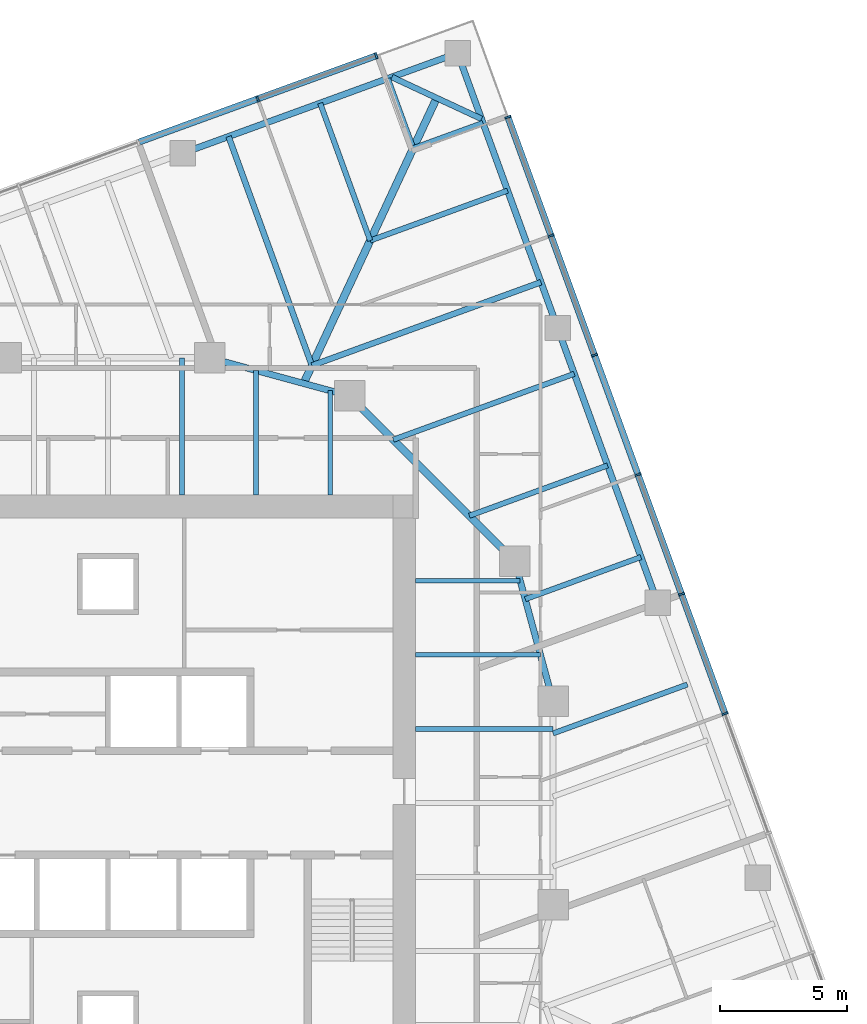
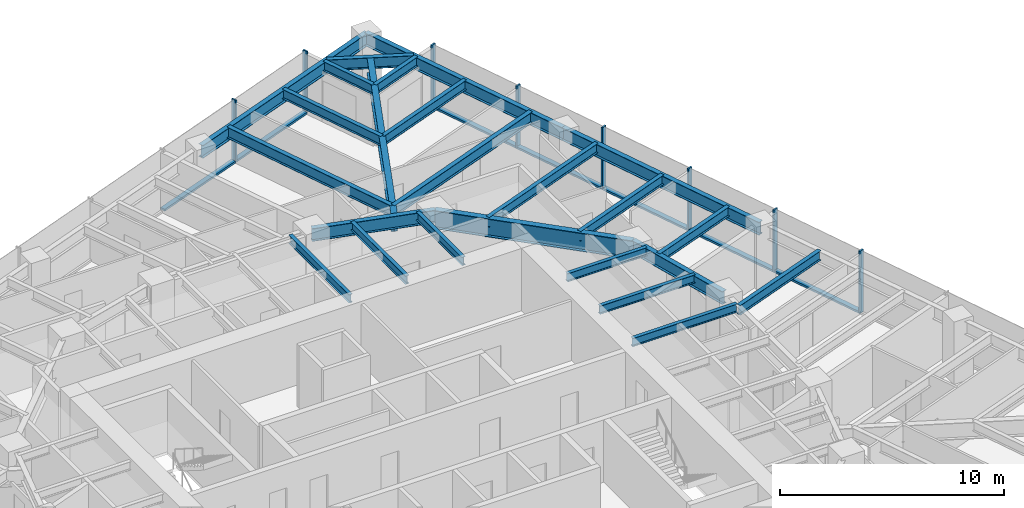
# One storey, part 5 of 13: 24 beams, 15 members, 2 elements without a shape of their own.
"""IFC4 building model written with IfcOpenShell, lengths in metres."""

from ifc_helpers import new_model, si_unit, direction, frame, origin, origin_2d, place, context, subcontext, project, spatial, rectangle, i_section, extrude, material, material_profile, profile_set, type_object, element, aggregate, save


model = new_model("IFC4")

# Units and contexts
model_context = context("Model", 3, precision=1e-05, world=origin(), true_north=direction((0.0, 1.0)))
body_context = subcontext(model_context, "Body", "Model", "MODEL_VIEW")
ifc_project = project(units=[si_unit("LENGTHUNIT", "METRE"), si_unit("AREAUNIT", "SQUARE_METRE"), si_unit("VOLUMEUNIT", "CUBIC_METRE"), si_unit("PLANEANGLEUNIT", "RADIAN"), si_unit("MASSUNIT", "GRAM", prefix="KILO")], contexts=[model_context])

# Site, building, storey
site_placement = place(None, origin())
site = spatial("IfcSite", under=ifc_project, at=site_placement, CompositionType="ELEMENT")
building_placement = place(site_placement, origin())
building = spatial("IfcBuilding", under=site, at=building_placement, Name="Torsade Residences", CompositionType="ELEMENT")
storey_placement = place(building_placement, frame((0.0, 0.0, 157.39990234375)))
storey = spatial("IfcBuildingStorey", under=building, at=storey_placement, Name="L43", CompositionType="ELEMENT", Elevation=157.39990234375)

# Beams
ifc_material_1 = material(Name="Steel grade 300", Category="steel")
ifc_material_profile_1 = material_profile(ifc_material_1, i_section(OverallWidth=0.300048828125, OverallDepth=0.89990234375, WebThickness=0.011962890625, FlangeThickness=0.02490234375, at=origin_2d()), Name="900WB175")
ifc_profile_set_1 = profile_set([ifc_material_profile_1], Name="Steel grade 300")
beam_type_1 = type_object("IfcBeamType", Name="CORNER GIRDER 900WB175", PredefinedType="BEAM", material=ifc_profile_set_1)
beam_1_placement = place(storey_placement, frame((52.924560546875, 57.717041015625, 2.800048828125), z_axis=(-0.422616712682, -0.906308509373, 0.0), x_axis=(0.906308509373, -0.422616712682, 0.0)))
element("IfcBeam", 1, at=beam_1_placement, inside=storey, type_object=beam_type_1, Name="Corner girder 09 L44", PredefinedType="BEAM", context=body_context, shape_type="SweptSolid", body=[
    extrude(i_section(OverallWidth=0.300048828125, OverallDepth=0.89990234375, WebThickness=0.011962890625, FlangeThickness=0.02490234375, at=origin_2d()), origin(), (0.0, 0.0, 1.0), 12.3837890625),
])
ifc_material_2 = material(Name="Steel grade 300", Category="steel")
ifc_material_profile_2 = material_profile(ifc_material_2, i_section(OverallWidth=0.22802734375, OverallDepth=0.60205078125, WebThickness=0.010498046875, FlangeThickness=0.014892578125, FilletRadius=0.013916015625, at=origin_2d()), Name="610UB101")
ifc_profile_set_2 = profile_set([ifc_material_profile_2], Name="Steel grade 300")
beam_type_2 = type_object("IfcBeamType", Name="CORNER TRIMMER 610UB101", PredefinedType="BEAM", material=ifc_profile_set_2)
beam_2_placement = place(storey_placement, frame((51.162353515625, 58.538818359375, 2.94921875), z_axis=(0.906309798645, -0.422613947806, 0.0), x_axis=(0.422613947806, 0.906309798645, 0.0)))
element("IfcBeam", 2, at=beam_2_placement, inside=storey, type_object=beam_type_2, Name="Corner trimmer 09 L44", PredefinedType="BEAM", context=body_context, shape_type="SweptSolid", body=[
    extrude(i_section(OverallWidth=0.22802734375, OverallDepth=0.60205078125, WebThickness=0.010498046875, FlangeThickness=0.014892578125, FilletRadius=0.013916015625, at=origin_2d()), origin(), (0.0, 0.0, 1.0), 3.888916015625),
])
ifc_material_3 = material(Name="Steel grade 300", Category="steel")
ifc_material_profile_3 = material_profile(ifc_material_3, i_section(OverallWidth=0.25, OverallDepth=0.699951171875, WebThickness=0.010009765625, FlangeThickness=0.02001953125, at=origin_2d()), Name="700WB130")
ifc_profile_set_3 = profile_set([ifc_material_profile_3], Name="Steel grade 300")
beam_type_3 = type_object("IfcBeamType", Name="EDGE BEAM 700WB130", PredefinedType="SPANDREL", material=ifc_profile_set_3)
for number, where, z_axis, x_axis, name in (
    (3, (61.613037109375, 37.866455078125, 2.900146484375), (-0.342031119628, 0.939688625666, 0.0), (-0.939688625666, -0.342031119628, 0.0), "Edge beam 07 L44"),
    (4, (57.6796875, 48.6728515625, 2.900146484375), (-0.342005550448, 0.939697932031, 0.0), (-0.939697932031, -0.342005550448, 0.0), "Edge beam 08 L44"),
):
    element("IfcBeam", number, at=place(storey_placement, frame(where, z_axis=z_axis, x_axis=x_axis)), inside=storey, type_object=beam_type_3, Name=name, PredefinedType="SPANDREL", context=body_context, shape_type="SweptSolid", body=[
        extrude(i_section(OverallWidth=0.25, OverallDepth=0.699951171875, WebThickness=0.010009765625, FlangeThickness=0.02001953125, at=origin_2d()), origin(), (0.0, 0.0, 1.0), 11.5),
    ])
beam_3_placement = place(storey_placement, frame((53.74658203125, 59.4794921875, 2.900146484375), z_axis=(-0.93969110915, -0.342024296483, 0.0), x_axis=(0.342024296483, -0.93969110915, 0.0)))
element("IfcBeam", 5, at=beam_3_placement, inside=storey, type_object=beam_type_3, Name="Edge beam 09 L44", PredefinedType="SPANDREL", context=body_context, shape_type="SweptSolid", body=[
    extrude(i_section(OverallWidth=0.25, OverallDepth=0.699951171875, WebThickness=0.010009765625, FlangeThickness=0.02001953125, at=origin_2d()), origin(), (0.0, 0.0, 1.0), 11.500244140625),
])
ifc_material_4 = material(Name="Steel grade 300", Category="steel")
ifc_material_profile_4 = material_profile(ifc_material_4, i_section(OverallWidth=0.18994140625, OverallDepth=0.4541015625, WebThickness=0.008544921875, FlangeThickness=0.0126953125, FilletRadius=0.011474609375, at=origin_2d()), Name="460UB67.1")
ifc_profile_set_4 = profile_set([ifc_material_profile_4], Name="Steel grade 300")
beam_type_4 = type_object("IfcBeamType", Name="INNER FLOOR BEAM 460UB67.1", PredefinedType="JOIST", material=ifc_profile_set_4)
beam_4_placement = place(storey_placement, frame((42.91259765625, 42.10009765625, 3.023193359375), z_axis=(0.0, 1.0, 0.0), x_axis=(-1.0, 0.0, 0.0)))
element("IfcBeam", 6, at=beam_4_placement, inside=storey, type_object=beam_type_4, Name="Inner floor beam IN05 L44", PredefinedType="JOIST", context=body_context, shape_type="SweptSolid", body=[
    extrude(i_section(OverallWidth=0.18994140625, OverallDepth=0.4541015625, WebThickness=0.008544921875, FlangeThickness=0.0126953125, FilletRadius=0.011474609375, at=origin_2d()), origin(), (0.0, 0.0, 1.0), 5.39990234375),
])
beam_5_placement = place(storey_placement, frame((45.824951171875, 42.10009765625, 3.023193359375), z_axis=(0.0, 1.0, 0.0), x_axis=(-1.0, 0.0, 0.0)))
element("IfcBeam", 7, at=beam_5_placement, inside=storey, type_object=beam_type_4, Name="Inner floor beam IN06 L44", PredefinedType="JOIST", context=body_context, shape_type="SweptSolid", body=[
    extrude(i_section(OverallWidth=0.18994140625, OverallDepth=0.4541015625, WebThickness=0.008544921875, FlangeThickness=0.0126953125, FilletRadius=0.011474609375, at=origin_2d()), origin(), (0.0, 0.0, 1.0), 4.902099609375),
])
beam_6_placement = place(storey_placement, frame((48.737548828125, 42.10009765625, 3.023193359375), z_axis=(0.0, 1.0, 0.0), x_axis=(-1.0, 0.0, 0.0)))
element("IfcBeam", 8, at=beam_6_placement, inside=storey, type_object=beam_type_4, Name="Inner floor beam IN07 L44", PredefinedType="JOIST", context=body_context, shape_type="SweptSolid", body=[
    extrude(i_section(OverallWidth=0.18994140625, OverallDepth=0.4541015625, WebThickness=0.008544921875, FlangeThickness=0.0126953125, FilletRadius=0.011474609375, at=origin_2d()), origin(), (0.0, 0.0, 1.0), 4.10791015625),
])
beam_7_placement = place(storey_placement, frame((52.10009765625, 32.91259765625, 3.023193359375), z_axis=(1.0, 0.0, 0.0), x_axis=(0.0, 1.0, 0.0)))
element("IfcBeam", 9, at=beam_7_placement, inside=storey, type_object=beam_type_4, Name="Inner floor beam IE05 L44", PredefinedType="JOIST", context=body_context, shape_type="SweptSolid", body=[
    extrude(i_section(OverallWidth=0.18994140625, OverallDepth=0.4541015625, WebThickness=0.008544921875, FlangeThickness=0.0126953125, FilletRadius=0.011474609375, at=origin_2d()), origin(), (0.0, 0.0, 1.0), 5.39990234375),
])
beam_8_placement = place(storey_placement, frame((52.10009765625, 35.824951171875, 3.023193359375), z_axis=(1.0, 0.0, 0.0), x_axis=(0.0, 1.0, 0.0)))
element("IfcBeam", 10, at=beam_8_placement, inside=storey, type_object=beam_type_4, Name="Inner floor beam IE06 L44", PredefinedType="JOIST", context=body_context, shape_type="SweptSolid", body=[
    extrude(i_section(OverallWidth=0.18994140625, OverallDepth=0.4541015625, WebThickness=0.008544921875, FlangeThickness=0.0126953125, FilletRadius=0.011474609375, at=origin_2d()), origin(), (0.0, 0.0, 1.0), 4.902099609375),
])
beam_9_placement = place(storey_placement, frame((52.10009765625, 38.737548828125, 3.023193359375), z_axis=(1.0, 0.0, 0.0), x_axis=(0.0, 1.0, 0.0)))
element("IfcBeam", 11, at=beam_9_placement, inside=storey, type_object=beam_type_4, Name="Inner floor beam IE07 L44", PredefinedType="JOIST", context=body_context, shape_type="SweptSolid", body=[
    extrude(i_section(OverallWidth=0.18994140625, OverallDepth=0.4541015625, WebThickness=0.008544921875, FlangeThickness=0.0126953125, FilletRadius=0.011474609375, at=origin_2d()), origin(), (0.0, 0.0, 1.0), 4.10791015625),
])

# Curtain wall, members
ifc_material_5 = material(Name="Aluminium and glass", Category="aluminium")
curtain_wall_type = type_object("IfcCurtainWallType", Name="FRITTED GLASS CURTAIN WALL MID ZONE", PredefinedType="NOTDEFINED", material=ifc_material_5)
curtain_wall_1_placement = place(storey_placement, origin())
curtain_wall_1 = element("IfcCurtainWall", 12, at=curtain_wall_1_placement, inside=storey, type_object=curtain_wall_type, Name="Curtain wall L43 face 4", PredefinedType="NOTDEFINED")
ifc_material_6 = material(Name="Aluminium mullion", Category="aluminium")
ifc_material_profile_5 = material_profile(ifc_material_6, rectangle(XDim=0.25, YDim=0.080078125, at=origin_2d()), Name="MID ZONE CURTAIN WALL MULLION 250x80")
ifc_profile_set_5 = profile_set([ifc_material_profile_5], Name="Aluminium mullion")
member_type_1 = type_object("IfcMemberType", Name="MID ZONE CURTAIN WALL MULLION 250x80", PredefinedType="MULLION", material=ifc_profile_set_5)
member_1_placement = place(storey_placement, frame((64.2626953125, 33.510009765625, 0.0), z_axis=(0.0, 0.0, 1.0), x_axis=(-0.939692619132, -0.342020147869, 0.0)))
member_1 = element("IfcMember", 13, at=member_1_placement, type_object=member_type_1, Name="Mullion 4", PredefinedType="MULLION", context=body_context, shape_type="SweptSolid", body=[
    extrude(rectangle(XDim=0.25, YDim=0.080078125, at=origin_2d()), origin(), (0.0, 0.0, 1.0), 3.400146484375),
])
member_2_placement = place(storey_placement, frame((62.552734375, 38.20849609375, 0.0), z_axis=(0.0, 0.0, 1.0), x_axis=(-0.939692619132, -0.342020147869, 0.0)))
member_2 = element("IfcMember", 14, at=member_2_placement, type_object=member_type_1, Name="Mullion 5", PredefinedType="MULLION", context=body_context, shape_type="SweptSolid", body=[
    extrude(rectangle(XDim=0.25, YDim=0.080078125, at=origin_2d()), origin(), (0.0, 0.0, 1.0), 3.400146484375),
])
member_3_placement = place(storey_placement, frame((60.842529296875, 42.906982421875, 0.0), z_axis=(0.0, 0.0, 1.0), x_axis=(-0.939692619132, -0.342020147869, 0.0)))
member_3 = element("IfcMember", 15, at=member_3_placement, type_object=member_type_1, Name="Mullion 6", PredefinedType="MULLION", context=body_context, shape_type="SweptSolid", body=[
    extrude(rectangle(XDim=0.25, YDim=0.080078125, at=origin_2d()), origin(), (0.0, 0.0, 1.0), 3.400146484375),
])
member_4_placement = place(storey_placement, frame((59.13232421875, 47.60546875, 0.0), z_axis=(0.0, 0.0, 1.0), x_axis=(-0.939692619132, -0.342020147869, 0.0)))
member_4 = element("IfcMember", 16, at=member_4_placement, type_object=member_type_1, Name="Mullion 7", PredefinedType="MULLION", context=body_context, shape_type="SweptSolid", body=[
    extrude(rectangle(XDim=0.25, YDim=0.080078125, at=origin_2d()), origin(), (0.0, 0.0, 1.0), 3.400146484375),
])
member_5_placement = place(storey_placement, frame((57.42236328125, 52.303955078125, 0.0), z_axis=(0.0, 0.0, 1.0), x_axis=(-0.939692619132, -0.342020147869, 0.0)))
member_5 = element("IfcMember", 17, at=member_5_placement, type_object=member_type_1, Name="Mullion 8", PredefinedType="MULLION", context=body_context, shape_type="SweptSolid", body=[
    extrude(rectangle(XDim=0.25, YDim=0.080078125, at=origin_2d()), origin(), (0.0, 0.0, 1.0), 3.400146484375),
])
member_6_placement = place(storey_placement, frame((55.725830078125, 56.96484375, 0.0), z_axis=(0.0, 0.0, 1.0), x_axis=(-0.939692619132, -0.342020147869, 0.0)))
member_6 = element("IfcMember", 18, at=member_6_placement, type_object=member_type_1, Name="Mullion 9", PredefinedType="MULLION", context=body_context, shape_type="SweptSolid", body=[
    extrude(rectangle(XDim=0.25, YDim=0.080078125, at=origin_2d()), origin(), (0.0, 0.0, 1.0), 3.400146484375),
])

curtain_wall_2_placement = place(storey_placement, origin())
curtain_wall_2 = element("IfcCurtainWall", 19, at=curtain_wall_2_placement, inside=storey, type_object=curtain_wall_type, Name="Curtain wall L43 face 7", PredefinedType="NOTDEFINED")
member_7_placement = place(storey_placement, frame((50.5478515625, 59.37939453125, 0.0), z_axis=(0.0, 0.0, 1.0), x_axis=(0.342020147869, -0.939692619132, 0.0)))
member_7 = element("IfcMember", 20, at=member_7_placement, type_object=member_type_1, Name="Mullion 1", PredefinedType="MULLION", context=body_context, shape_type="SweptSolid", body=[
    extrude(rectangle(XDim=0.25, YDim=0.080078125, at=origin_2d()), origin(), (0.0, 0.0, 1.0), 3.400146484375),
])
member_8_placement = place(storey_placement, frame((45.886962890625, 57.682861328125, 0.0), z_axis=(0.0, 0.0, 1.0), x_axis=(0.342020147869, -0.939692619132, 0.0)))
member_8 = element("IfcMember", 21, at=member_8_placement, type_object=member_type_1, Name="Mullion 2", PredefinedType="MULLION", context=body_context, shape_type="SweptSolid", body=[
    extrude(rectangle(XDim=0.25, YDim=0.080078125, at=origin_2d()), origin(), (0.0, 0.0, 1.0), 3.400146484375),
])

# Member
ifc_material_7 = material(Name="Aluminium transom", Category="aluminium")
ifc_material_profile_6 = material_profile(ifc_material_7, rectangle(XDim=0.25, YDim=0.110107421875, at=origin_2d()), Name="MID ZONE CURTAIN WALL TRANSOM 250x110")
ifc_profile_set_6 = profile_set([ifc_material_profile_6], Name="Aluminium transom")
member_type_2 = type_object("IfcMemberType", Name="MID ZONE CURTAIN WALL TRANSOM 250x110", PredefinedType="USERDEFINED", material=ifc_profile_set_6)
member_9_placement = place(storey_placement, frame((64.2490234375, 33.547607421875, 0.05517578125), z_axis=(-0.341998044792, 0.9397006637, 0.0), x_axis=(-0.9397006637, -0.341998044792, 0.0)))
member_9 = element("IfcMember", 22, at=member_9_placement, type_object=member_type_2, Name="Transom 4.1", ObjectType="TRANSOM", PredefinedType="USERDEFINED", context=body_context, shape_type="SweptSolid", body=[
    extrude(rectangle(XDim=0.25, YDim=0.110107421875, at=origin_2d()), origin(), (0.0, 0.0, 1.0), 4.919921875),
])

member_10_placement = place(storey_placement, frame((62.5390625, 38.24609375, 0.05517578125), z_axis=(-0.342041862168, 0.93968471549, 0.0), x_axis=(-0.93968471549, -0.342041862168, 0.0)))
member_10 = element("IfcMember", 23, at=member_10_placement, type_object=member_type_2, Name="Transom 5.1", ObjectType="TRANSOM", PredefinedType="USERDEFINED", context=body_context, shape_type="SweptSolid", body=[
    extrude(rectangle(XDim=0.25, YDim=0.110107421875, at=origin_2d()), origin(), (0.0, 0.0, 1.0), 4.920166015625),
])

member_11_placement = place(storey_placement, frame((60.828857421875, 42.944580078125, 0.05517578125), z_axis=(-0.342041862168, 0.93968471549, 0.0), x_axis=(-0.93968471549, -0.342041862168, 0.0)))
member_11 = element("IfcMember", 24, at=member_11_placement, type_object=member_type_2, Name="Transom 6.1", ObjectType="TRANSOM", PredefinedType="USERDEFINED", context=body_context, shape_type="SweptSolid", body=[
    extrude(rectangle(XDim=0.25, YDim=0.110107421875, at=origin_2d()), origin(), (0.0, 0.0, 1.0), 4.920166015625),
])

member_12_placement = place(storey_placement, frame((59.11865234375, 47.64306640625, 0.05517578125), z_axis=(-0.341998044792, 0.9397006637, 0.0), x_axis=(-0.9397006637, -0.341998044792, 0.0)))
member_12 = element("IfcMember", 25, at=member_12_placement, type_object=member_type_2, Name="Transom 7.1", ObjectType="TRANSOM", PredefinedType="USERDEFINED", context=body_context, shape_type="SweptSolid", body=[
    extrude(rectangle(XDim=0.25, YDim=0.110107421875, at=origin_2d()), origin(), (0.0, 0.0, 1.0), 4.919921875),
])

member_13_placement = place(storey_placement, frame((57.40869140625, 52.341552734375, 0.05517578125), z_axis=(-0.342044311564, 0.939683823915, 0.0), x_axis=(-0.939683823915, -0.342044311564, 0.0)))
member_13 = element("IfcMember", 26, at=member_13_placement, type_object=member_type_2, Name="Transom 8.1", ObjectType="TRANSOM", PredefinedType="USERDEFINED", context=body_context, shape_type="SweptSolid", body=[
    extrude(rectangle(XDim=0.25, YDim=0.110107421875, at=origin_2d()), origin(), (0.0, 0.0, 1.0), 4.880126953125),
])

aggregate(curtain_wall_1, [member_1, member_2, member_3, member_4, member_5, member_6, member_9, member_10, member_11, member_12, member_13])

member_14_placement = place(storey_placement, frame((50.51025390625, 59.36572265625, 0.05517578125), z_axis=(-0.939683823915, -0.342044311564, 0.0), x_axis=(0.342044311564, -0.939683823915, 0.0)))
member_14 = element("IfcMember", 27, at=member_14_placement, type_object=member_type_2, Name="Transom 1.1", ObjectType="TRANSOM", PredefinedType="USERDEFINED", context=body_context, shape_type="SweptSolid", body=[
    extrude(rectangle(XDim=0.25, YDim=0.110107421875, at=origin_2d()), origin(), (0.0, 0.0, 1.0), 4.880126953125),
])

member_15_placement = place(storey_placement, frame((45.849365234375, 57.669189453125, 0.05517578125), z_axis=(-0.9397006637, -0.341998044792, 0.0), x_axis=(0.341998044792, -0.9397006637, 0.0)))
member_15 = element("IfcMember", 28, at=member_15_placement, type_object=member_type_2, Name="Transom 2.1", ObjectType="TRANSOM", PredefinedType="USERDEFINED", context=body_context, shape_type="SweptSolid", body=[
    extrude(rectangle(XDim=0.25, YDim=0.110107421875, at=origin_2d()), origin(), (0.0, 0.0, 1.0), 4.919921875),
])

aggregate(curtain_wall_2, [member_7, member_8, member_14, member_15])

# Beams
ifc_material_8 = material(Name="Steel grade 300", Category="steel")
ifc_material_profile_7 = material_profile(ifc_material_8, i_section(OverallWidth=0.300048828125, OverallDepth=1.0, WebThickness=0.01611328125, FlangeThickness=0.028076171875, at=origin_2d()), Name="1000WB215")
ifc_profile_set_7 = profile_set([ifc_material_profile_7], Name="Steel grade 300")
beam_type_5 = type_object("IfcBeamType", Name="RING CORNER GIRDER 1000WB215", PredefinedType="BEAM", material=ifc_profile_set_7)
beam_10_placement = place(storey_placement, frame((56.0, 39.5, 2.75), z_axis=(-0.707106781187, 0.707106781187, 0.0), x_axis=(-0.707106781187, -0.707106781187, 0.0)))
element("IfcBeam", 29, at=beam_10_placement, inside=storey, type_object=beam_type_5, Name="Ring girder IR03 L44", PredefinedType="BEAM", context=body_context, shape_type="SweptSolid", body=[
    extrude(i_section(OverallWidth=0.300048828125, OverallDepth=1.0, WebThickness=0.01611328125, FlangeThickness=0.028076171875, at=origin_2d()), origin(), (0.0, 0.0, 1.0), 9.1923828125),
])
ifc_material_9 = material(Name="Steel grade 300", Category="steel")
ifc_material_profile_8 = material_profile(ifc_material_9, i_section(OverallWidth=0.25, OverallDepth=0.699951171875, WebThickness=0.010009765625, FlangeThickness=0.02001953125, at=origin_2d()), Name="700WB130")
ifc_profile_set_8 = profile_set([ifc_material_profile_8], Name="Steel grade 300")
beam_type_6 = type_object("IfcBeamType", Name="RING GIRDER 700WB130", PredefinedType="BEAM", material=ifc_profile_set_8)
for number, where, z_axis, x_axis, name in (
    (30, (57.5, 34.0, 2.900146484375), (-0.263117405792, 0.964763821238, 0.0), (-0.964763821238, -0.263117405792, 0.0), "Ring girder IR02 L44"),
    (31, (49.5, 46.0, 2.900146484375), (-0.964763821238, 0.263117405792, 0.0), (-0.263117405792, -0.964763821238, 0.0), "Ring girder IR04 L44"),
):
    element("IfcBeam", number, at=place(storey_placement, frame(where, z_axis=z_axis, x_axis=x_axis)), inside=storey, type_object=beam_type_6, Name=name, PredefinedType="BEAM", context=body_context, shape_type="SweptSolid", body=[
        extrude(i_section(OverallWidth=0.25, OverallDepth=0.699951171875, WebThickness=0.010009765625, FlangeThickness=0.02001953125, at=origin_2d()), origin(), (0.0, 0.0, 1.0), 5.700927734375),
    ])
ifc_material_10 = material(Name="Steel grade 300", Category="steel")
ifc_material_profile_9 = material_profile(ifc_material_10, i_section(OverallWidth=0.208984375, OverallDepth=0.528076171875, WebThickness=0.009521484375, FlangeThickness=0.01318359375, FilletRadius=0.013916015625, at=origin_2d()), Name="530UB82.0")
ifc_profile_set_9 = profile_set([ifc_material_profile_9], Name="Steel grade 300")
beam_type_7 = type_object("IfcBeamType", Name="SECONDARY BEAM 530UB82.0", PredefinedType="JOIST", material=ifc_profile_set_9)
beam_11_placement = place(storey_placement, frame((62.781494140625, 34.65576171875, 2.986083984375), z_axis=(-0.939703343336, -0.341990681925, 0.0), x_axis=(0.341990681925, -0.939703343336, 0.0)))
element("IfcBeam", 32, at=beam_11_placement, inside=storey, type_object=beam_type_7, Name="Floor beam FE06 L44", PredefinedType="JOIST", context=body_context, shape_type="SweptSolid", body=[
    extrude(i_section(OverallWidth=0.208984375, OverallDepth=0.528076171875, WebThickness=0.009521484375, FlangeThickness=0.01318359375, FilletRadius=0.013916015625, at=origin_2d()), origin(), (0.0, 0.0, 1.0), 5.620361328125),
])
beam_12_placement = place(storey_placement, frame((60.957275390625, 39.66748046875, 2.986083984375), z_axis=(-0.939694777187, -0.342014218604, 0.0), x_axis=(0.342014218604, -0.939694777187, 0.0)))
element("IfcBeam", 33, at=beam_12_placement, inside=storey, type_object=beam_type_7, Name="Floor beam FE07 L44", PredefinedType="JOIST", context=body_context, shape_type="SweptSolid", body=[
    extrude(i_section(OverallWidth=0.208984375, OverallDepth=0.528076171875, WebThickness=0.009521484375, FlangeThickness=0.01318359375, FilletRadius=0.013916015625, at=origin_2d()), origin(), (0.0, 0.0, 1.0), 4.84326171875),
])
beam_13_placement = place(storey_placement, frame((59.646240234375, 43.269775390625, 2.986083984375), z_axis=(-0.939687428295, -0.342034409239, 0.0), x_axis=(0.342034409239, -0.939687428295, 0.0)))
element("IfcBeam", 34, at=beam_13_placement, inside=storey, type_object=beam_type_7, Name="Floor beam FE08 L44", PredefinedType="JOIST", context=body_context, shape_type="SweptSolid", body=[
    extrude(i_section(OverallWidth=0.208984375, OverallDepth=0.528076171875, WebThickness=0.009521484375, FlangeThickness=0.01318359375, FilletRadius=0.013916015625, at=origin_2d()), origin(), (0.0, 0.0, 1.0), 5.785888671875),
])
beam_14_placement = place(storey_placement, frame((58.335205078125, 46.871826171875, 2.986083984375), z_axis=(-0.939689847531, -0.342027762686, 0.0), x_axis=(0.342027762686, -0.939689847531, 0.0)))
element("IfcBeam", 35, at=beam_14_placement, inside=storey, type_object=beam_type_7, Name="Floor beam FE09 L44", PredefinedType="JOIST", context=body_context, shape_type="SweptSolid", body=[
    extrude(i_section(OverallWidth=0.208984375, OverallDepth=0.528076171875, WebThickness=0.009521484375, FlangeThickness=0.01318359375, FilletRadius=0.013916015625, at=origin_2d()), origin(), (0.0, 0.0, 1.0), 7.573486328125),
])
beam_15_placement = place(storey_placement, frame((55.713134765625, 54.076171875, 2.986083984375), z_axis=(-0.939697932031, -0.342005550448, 0.0), x_axis=(0.342005550448, -0.939697932031, 0.0)))
element("IfcBeam", 36, at=beam_15_placement, inside=storey, type_object=beam_type_7, Name="Floor beam FE11 L44", PredefinedType="JOIST", context=body_context, shape_type="SweptSolid", body=[
    extrude(i_section(OverallWidth=0.208984375, OverallDepth=0.528076171875, WebThickness=0.009521484375, FlangeThickness=0.01318359375, FilletRadius=0.013916015625, at=origin_2d()), origin(), (0.0, 0.0, 1.0), 5.75),
])
for number, where, z_axis, x_axis, name in (
    (37, (54.744140625, 56.738525390625, 2.986083984375), (-0.939700524495, -0.341998427281, 0.0), (0.341998427281, -0.939700524495, 0.0), "Floor beam FE12 L44"),
    (38, (51.005615234375, 58.48193359375, 2.986083984375), (0.341998427281, -0.939700524495, 0.0), (0.939700524495, 0.341998427281, 0.0), "Floor beam FN01 L44"),
):
    element("IfcBeam", number, at=place(storey_placement, frame(where, z_axis=z_axis, x_axis=x_axis)), inside=storey, type_object=beam_type_7, Name=name, PredefinedType="JOIST", context=body_context, shape_type="SweptSolid", body=[
        extrude(i_section(OverallWidth=0.208984375, OverallDepth=0.528076171875, WebThickness=0.009521484375, FlangeThickness=0.01318359375, FilletRadius=0.013916015625, at=origin_2d()), origin(), (0.0, 0.0, 1.0), 2.916748046875),
    ])
beam_16_placement = place(storey_placement, frame((48.34326171875, 57.5126953125, 2.986083984375), z_axis=(0.342019196443, -0.939692965423, 0.0), x_axis=(0.939692965423, 0.342019196443, 0.0)))
element("IfcBeam", 39, at=beam_16_placement, inside=storey, type_object=beam_type_7, Name="Floor beam FN02 L44", PredefinedType="JOIST", context=body_context, shape_type="SweptSolid", body=[
    extrude(i_section(OverallWidth=0.208984375, OverallDepth=0.528076171875, WebThickness=0.009521484375, FlangeThickness=0.01318359375, FilletRadius=0.013916015625, at=origin_2d()), origin(), (0.0, 0.0, 1.0), 5.749755859375),
])
ifc_material_11 = material(Name="Steel grade 300", Category="steel")
ifc_material_profile_10 = material_profile(ifc_material_11, i_section(OverallWidth=0.22900390625, OverallDepth=0.612060546875, WebThickness=0.011962890625, FlangeThickness=0.01953125, FilletRadius=0.013916015625, at=origin_2d()), Name="610UB125")
ifc_profile_set_10 = profile_set([ifc_material_profile_10], Name="Steel grade 300")
beam_type_8 = type_object("IfcBeamType", Name="SECONDARY BEAM 610UB125", PredefinedType="JOIST", material=ifc_profile_set_10)
for number, where, z_axis, x_axis, name in (
    (40, (57.024169921875, 50.47412109375, 2.944091796875), (-0.939687757725, -0.342033504181, 0.0), (0.342033504181, -0.939687757725, 0.0), "Floor beam FE10 L44"),
    (41, (44.740966796875, 56.20166015625, 2.944091796875), (0.342033504181, -0.939687757725, 0.0), (0.939687757725, 0.342033504181, 0.0), "Floor beam FN03 L44"),
):
    element("IfcBeam", number, at=place(storey_placement, frame(where, z_axis=z_axis, x_axis=x_axis)), inside=storey, type_object=beam_type_8, Name=name, PredefinedType="JOIST", context=body_context, shape_type="SweptSolid", body=[
        extrude(i_section(OverallWidth=0.22900390625, OverallDepth=0.612060546875, WebThickness=0.011962890625, FlangeThickness=0.01953125, FilletRadius=0.013916015625, at=origin_2d()), origin(), (0.0, 0.0, 1.0), 9.583251953125),
    ])

save(model, "model.ifc")
